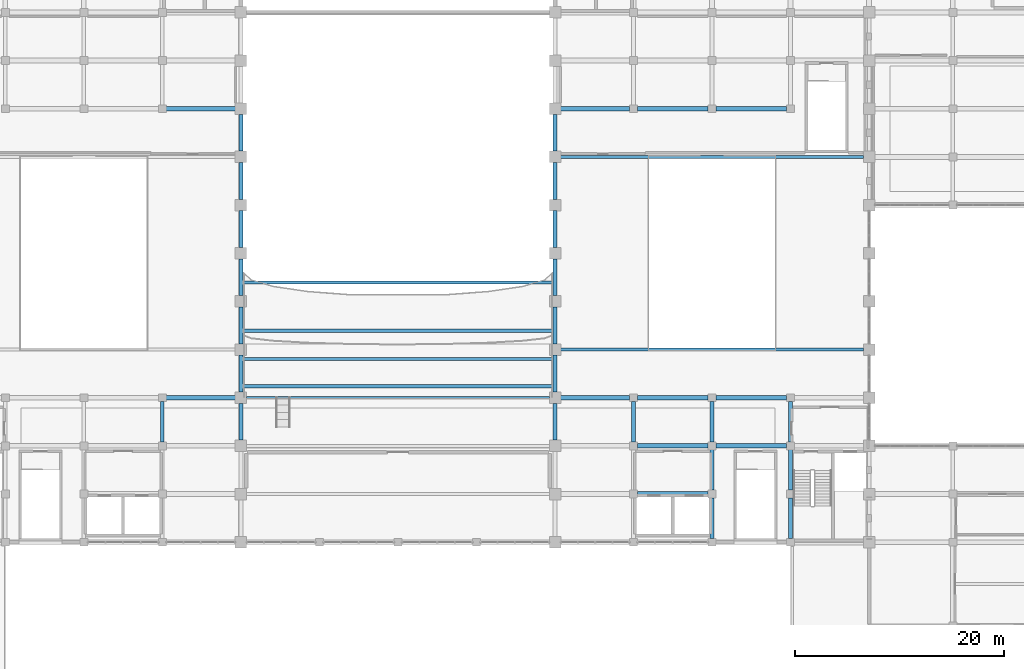
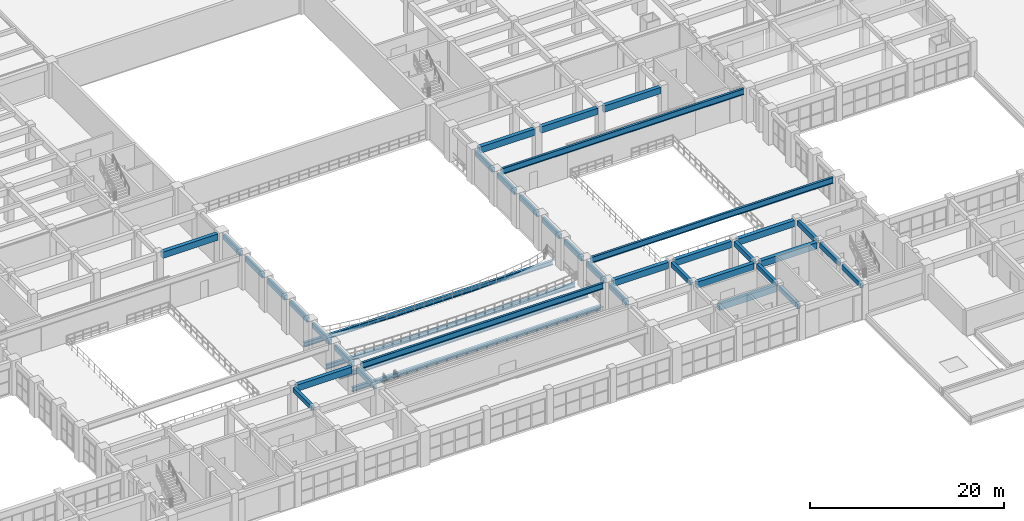
# One storey, part 28 of 90: 40 beams.
"""IFC4 building model written with IfcOpenShell, lengths in metres."""

import ifcopenshell
import ifcopenshell.guid

model = None  # the IFC model being written
_history = None  # IfcOwnerHistory: only IFC2X3 demands one
_inside = {}  # id of a spatial element -> (the spatial element, [elements in it])
_under = {}  # id of a project, library or spatial element -> (it, [spatial elements below it])
_declared = {}  # id of a project -> (the project, [libraries it declares])
_typed = {}  # id of a type object -> (the type object, [elements of that type])
_made_of = {}  # id of a material, layer set ... -> (it, [elements and type objects made of it])


def new_model(schema):
    """Start an empty IFC model of exactly this schema.

    Asked for "IFC4X3", IfcOpenShell would pick the latest addendum, in which some entities
    have other attributes; the version numbers below select the first issue.
    IFC2X3 requires an IfcOwnerHistory on every rooted entity: one is made here for all.
    """
    global model, _history
    if schema == "IFC4X3":
        model = ifcopenshell.file(schema_version=(4, 3, 0, 0))
    else:
        model = ifcopenshell.file(schema=schema)
    _inside.clear()
    _under.clear()
    _declared.clear()
    _typed.clear()
    _made_of.clear()
    _history = None
    if model.schema == "IFC2X3":
        org = make("IfcOrganization", Name="unknown")
        user = make(
            "IfcPersonAndOrganization",
            ThePerson=make("IfcPerson", FamilyName="unknown"),
            TheOrganization=org,
        )
        app = make(
            "IfcApplication",
            ApplicationDeveloper=org,
            Version="unknown",
            ApplicationFullName="unknown",
            ApplicationIdentifier="unknown",
        )
        _history = make(
            "IfcOwnerHistory",
            OwningUser=user,
            OwningApplication=app,
            ChangeAction="ADDED",
            CreationDate=0,
        )
    return model


def make(cls, **values):
    """One entity of the class cls with the attributes given. An attribute that is None is left unset."""
    return model.create_entity(
        cls, **{name: value for name, value in values.items() if value is not None}
    )


def rooted(cls, **values):
    """An entity with a GlobalId (a new one), such as an element, a storey or a relation."""
    return make(cls, GlobalId=ifcopenshell.guid.new(), OwnerHistory=_history, **values)


def si_unit(unit_type, name, prefix=None):
    """IfcSIUnit, for example si_unit("LENGTHUNIT", "METRE", prefix="MILLI")."""
    return make("IfcSIUnit", UnitType=unit_type, Prefix=prefix, Name=name)


def assignment(units):
    """IfcUnitAssignment: the units of a project."""
    return None if units is None else make("IfcUnitAssignment", Units=units)


def point(xyz):
    """IfcCartesianPoint."""
    return None if xyz is None else make("IfcCartesianPoint", Coordinates=xyz)


def direction(xyz):
    """IfcDirection."""
    return None if xyz is None else make("IfcDirection", DirectionRatios=xyz)


def frame(location, z_axis=None, x_axis=None):
    """IfcAxis2Placement3D, a coordinate frame: its origin and axes. An axis left out is left unset."""
    return make(
        "IfcAxis2Placement3D",
        Location=point(location),
        Axis=direction(z_axis),
        RefDirection=direction(x_axis),
    )


def frame_2d(location, x_axis=None):
    """IfcAxis2Placement2D, a coordinate frame in the plane: its origin and x axis."""
    return make(
        "IfcAxis2Placement2D", Location=point(location), RefDirection=direction(x_axis)
    )


def origin():
    """The frame at (0, 0, 0) with its axes left unset."""
    return frame((0.0, 0.0, 0.0))


def origin_2d():
    """The frame at (0, 0) in the plane with its x axis left unset."""
    return frame_2d((0.0, 0.0))


def place(relative_to, where):
    """IfcLocalPlacement: puts the frame where relative to a parent placement (None: the world)."""
    return make(
        "IfcLocalPlacement", PlacementRelTo=relative_to, RelativePlacement=where
    )


def context(
    kind, dimensions, precision=None, world=None, true_north=None, identifier=None
):
    """IfcGeometricRepresentationContext, for example the 3D "Model" context."""
    return make(
        "IfcGeometricRepresentationContext",
        ContextIdentifier=identifier,
        ContextType=kind,
        CoordinateSpaceDimension=dimensions,
        Precision=precision,
        WorldCoordinateSystem=world,
        TrueNorth=true_north,
    )


def subcontext(parent, identifier, kind, view, scale=None):
    """IfcGeometricRepresentationSubContext, for example "Body" below "Model"."""
    return make(
        "IfcGeometricRepresentationSubContext",
        ContextIdentifier=identifier,
        ContextType=kind,
        ParentContext=parent,
        TargetScale=scale,
        TargetView=view,
    )


def project(units=None, contexts=None):
    """IfcProject with its units and contexts."""
    return rooted(
        "IfcProject",
        Name="project",
        RepresentationContexts=contexts,
        UnitsInContext=assignment(units),
    )


def spatial(cls, under=None, at=None, **own):
    """A site, building, storey or space (cls), placed at a placement, below another one or the project."""
    s = rooted(cls, ObjectPlacement=at, **own)
    if under is not None:
        _under.setdefault(under.id(), (under, []))[1].append(s)
    return s


def profile(cls, at=None, kind="AREA", **sizes):
    """A parametric profile (cls). Its sizes go by their IFC names, for example OverallWidth=200.0."""
    return make(cls, ProfileType=kind, Position=at, **sizes)


def rectangle(**sizes):
    """IfcRectangleProfileDef."""
    return profile("IfcRectangleProfileDef", **sizes)


def i_section(**sizes):
    """IfcIShapeProfileDef."""
    return profile("IfcIShapeProfileDef", **sizes)


def extrude(swept, where, along, depth):
    """IfcExtrudedAreaSolid: the profile swept, set in the frame where, extruded along a direction by depth."""
    return make(
        "IfcExtrudedAreaSolid",
        SweptArea=swept,
        Position=where,
        ExtrudedDirection=direction(along),
        Depth=depth,
    )


def shape(context_of_items, identifier, shape_type, items):
    """IfcShapeRepresentation: the items that make up one representation, for example the "Body"."""
    return make(
        "IfcShapeRepresentation",
        ContextOfItems=context_of_items,
        RepresentationIdentifier=identifier,
        RepresentationType=shape_type,
        Items=items,
    )


def material(Name=None, Category=None):
    """IfcMaterial."""
    return make("IfcMaterial", Name=Name, Category=Category)


def material_profile(
    of_material, cross_section, Name=None, Category=None, Priority=None
):
    """IfcMaterialProfile: a cross section and its material."""
    return make(
        "IfcMaterialProfile",
        Name=Name,
        Material=of_material,
        Profile=cross_section,
        Priority=Priority,
        Category=Category,
    )


def profile_set(profiles, Name=None, composite=None):
    """IfcMaterialProfileSet."""
    return make(
        "IfcMaterialProfileSet",
        Name=Name,
        MaterialProfiles=profiles,
        CompositeProfile=composite,
    )


def made_of(thing, what):
    """Note that an element or type object is made of a material, layer set ...; save() writes the relation."""
    if what is not None:
        _made_of.setdefault(what.id(), (what, []))[1].append(thing)
    return thing


def type_object(cls, material=None, **own):
    """A type object (cls), such as IfcWallType, which elements share."""
    return made_of(rooted(cls, **own), material)


def element(
    cls,
    number,
    at=None,
    inside=None,
    cuts=None,
    type_object=None,
    material=None,
    context=None,
    identifier="Body",
    shape_type=None,
    held_by="IfcProductDefinitionShape",
    body=None,
    shapes=None,
    **own,
):
    """One element of the class cls, such as IfcWall. Its Tag is "e" and its number.

    at: its placement. inside: the storey or other place that contains it. cuts: it is an
    opening in that element (IfcRelVoidsElement). A single representation is given by context,
    identifier, shape_type and body (its items); several are given by shapes. held_by: the class
    of the entity that holds the representations. save() writes the other relations.
    """
    e = rooted(cls, Tag="e%d" % number, ObjectPlacement=at, **own)
    if body is not None:
        shapes = [shape(context, identifier, shape_type, body)]
    if shapes is not None:
        e.Representation = make(held_by, Representations=shapes)
    if inside is not None:
        _inside.setdefault(inside.id(), (inside, []))[1].append(e)
    if cuts is not None:
        rooted(
            "IfcRelVoidsElement", RelatingBuildingElement=cuts, RelatedOpeningElement=e
        )
    if type_object is not None:
        _typed.setdefault(type_object.id(), (type_object, []))[1].append(e)
    return made_of(e, material)


def aggregate(whole, parts):
    """IfcRelAggregates: a whole, such as a stair, and the parts it consists of."""
    return rooted("IfcRelAggregates", RelatingObject=whole, RelatedObjects=parts)


def save(model, path):
    """Write the relations noted so far, then the file.

    IfcRelAggregates (storeys below a building ...), IfcRelContainedInSpatialStructure (elements
    in a storey), IfcRelDefinesByType, IfcRelAssociatesMaterial and IfcRelDeclares: one each for
    every whole, place, type object, material and project.
    """
    for whole, parts in _under.values():
        aggregate(whole, parts)
    for where, things in _inside.values():
        rooted(
            "IfcRelContainedInSpatialStructure",
            RelatedElements=things,
            RelatingStructure=where,
        )
    for kind, things in _typed.values():
        rooted("IfcRelDefinesByType", RelatedObjects=things, RelatingType=kind)
    for what, things in _made_of.values():
        rooted("IfcRelAssociatesMaterial", RelatedObjects=things, RelatingMaterial=what)
    for by, libraries in _declared.values():
        rooted("IfcRelDeclares", RelatingContext=by, RelatedDefinitions=libraries)
    model.write(path)


model = new_model("IFC4")

# Units and contexts
model_context = context("Model", 3, precision=1e-05, world=origin(), true_north=direction((0.0, 1.0)))
body_context = subcontext(model_context, "Body", "Model", "MODEL_VIEW")
ifc_project = project(units=[si_unit("LENGTHUNIT", "METRE"), si_unit("AREAUNIT", "SQUARE_METRE"), si_unit("VOLUMEUNIT", "CUBIC_METRE"), si_unit("PLANEANGLEUNIT", "RADIAN"), si_unit("MASSUNIT", "GRAM", prefix="KILO")], contexts=[model_context])

# Site, building, storey
site_placement = place(None, origin())
site = spatial("IfcSite", under=ifc_project, at=site_placement, CompositionType="ELEMENT")
building_placement = place(site_placement, origin())
building = spatial("IfcBuilding", under=site, at=building_placement, Name="Muzn Square Opera House", CompositionType="ELEMENT")
storey_placement = place(building_placement, frame((0.0, 0.0, 9.800048828125)))
storey = spatial("IfcBuildingStorey", under=building, at=storey_placement, Name="L02", CompositionType="ELEMENT", Elevation=9.800048828125)

# Beams
ifc_material_1 = material(Name="Steel S355", Category="steel")
ifc_material_profile_1 = material_profile(ifc_material_1, i_section(OverallWidth=0.300048828125, OverallDepth=0.550048828125, WebThickness=0.014892578125, FlangeThickness=0.029052734375, FilletRadius=0.027099609375, at=origin_2d()), Name="HEB 550", Category="steel")
ifc_profile_set_1 = profile_set([ifc_material_profile_1], Name="Steel S355")
beam_type_1 = type_object("IfcBeamType", Name="Auditorium Raker Beam HEB550", PredefinedType="USERDEFINED", material=ifc_profile_set_1)
for number, where, z_axis, x_axis, name in (
    (1, (73.199951171875, 36.89990234375, 0.244873046875), (1.0, 0.0, 0.0), (0.0, 1.0, 0.0), "Upper Circle Raker Beam RAKER-L02-01"),
    (2, (73.199951171875, 39.5, 0.244873046875), (1.0, 0.0, 0.0), (0.0, 1.0, 0.0), "Upper Circle Raker Beam RAKER-L02-02"),
    (3, (73.199951171875, 42.199951171875, -0.114990234375), (1.0, 0.0, 0.0), (0.0, 1.0, 0.0), "Upper Circle Raker Beam RAKER-L02-03"),
    (4, (73.199951171875, 46.800048828125, -0.114990234375), (1.0, 0.0, 0.0), (0.0, 1.0, 0.0), "Upper Circle Raker Beam RAKER-L02-04"),
):
    element("IfcBeam", number, at=place(storey_placement, frame(where, z_axis=z_axis, x_axis=x_axis)), inside=storey, type_object=beam_type_1, Name=name, ObjectType="RAKER", PredefinedType="USERDEFINED", context=body_context, shape_type="SweptSolid", body=[
        extrude(i_section(OverallWidth=0.300048828125, OverallDepth=0.550048828125, WebThickness=0.014892578125, FlangeThickness=0.029052734375, FilletRadius=0.027099609375, at=origin_2d()), origin(), (0.0, 0.0, 1.0), 29.60009765625),
    ])
ifc_material_profile_2 = material_profile(ifc_material_1, i_section(OverallWidth=0.264892578125, OverallDepth=0.7529296875, WebThickness=0.01318359375, FlangeThickness=0.01708984375, FilletRadius=0.01708984375, at=origin_2d()), Name="IPE 750x147", Category="steel")
ifc_profile_set_2 = profile_set([ifc_material_profile_2], Name="Steel S355")
beam_type_2 = type_object("IfcBeamType", Name="Long Span Foyer Beam IPE750", PredefinedType="BEAM", material=ifc_profile_set_2)
for number, where, z_axis, x_axis, name in (
    (5, (73.5419921875, 35.800048828125, 3.743408203125), (1.0, 0.0, 0.0), (0.0, 1.0, 0.0), "Primary Girder BM-L02-BM-LF750-735_358_1025_358-2002"),
    (6, (103.5419921875, 40.39990234375, 3.743408203125), (1.0, 0.0, 0.0), (0.0, 1.0, 0.0), "Primary Girder BM-L02-BM-LF750-1035_404_1325_404-2008"),
    (7, (103.5419921875, 58.800048828125, 3.743408203125), (1.0, 0.0, 0.0), (0.0, 1.0, 0.0), "Primary Girder BM-L02-BM-LF750-1035_588_1325_588-2019"),
):
    element("IfcBeam", number, at=place(storey_placement, frame(where, z_axis=z_axis, x_axis=x_axis)), inside=storey, type_object=beam_type_2, Name=name, PredefinedType="BEAM", context=body_context, shape_type="SweptSolid", body=[
        extrude(i_section(OverallWidth=0.264892578125, OverallDepth=0.7529296875, WebThickness=0.01318359375, FlangeThickness=0.01708984375, FilletRadius=0.01708984375, at=origin_2d()), origin(), (0.0, 0.0, 1.0), 28.916015625),
    ])
ifc_material_2 = material(Name="Concrete C40/50", Category="concrete")
ifc_material_profile_3 = material_profile(ifc_material_2, rectangle(XDim=0.35009765625, YDim=0.60009765625, at=origin_2d()), Name="RCB 350x600", Category="concrete")
ifc_profile_set_3 = profile_set([ifc_material_profile_3], Name="Concrete C40/50")
beam_type_3 = type_object("IfcBeamType", Name="Primary Girder 350x600", PredefinedType="BEAM", material=ifc_profile_set_3)
beam_1_placement = place(storey_placement, frame((65.5, 31.56689453125, 3.820068359375), z_axis=(0.0, 1.0, 0.0), x_axis=(-1.0, 0.0, 0.0)))
element("IfcBeam", 8, at=beam_1_placement, inside=storey, type_object=beam_type_3, Name="Primary Girder BM-L02-BM-PG600-655_316_655_354-2188", PredefinedType="BEAM", context=body_context, shape_type="SweptSolid", body=[
    extrude(rectangle(XDim=0.35009765625, YDim=0.60009765625, at=origin_2d()), origin(), (0.0, 0.0, 1.0), 3.8662109375),
])
beam_2_placement = place(storey_placement, frame((73.0, 31.741943359375, 3.820068359375), z_axis=(0.0, 1.0, 0.0), x_axis=(-1.0, 0.0, 0.0)))
element("IfcBeam", 9, at=beam_2_placement, inside=storey, type_object=beam_type_3, Name="Primary Girder BM-L02-BM-PG600-730_317_730_353-2197", PredefinedType="BEAM", context=body_context, shape_type="SweptSolid", body=[
    extrude(rectangle(XDim=0.35009765625, YDim=0.60009765625, at=origin_2d()), origin(), (0.0, 0.0, 1.0), 3.51611328125),
])
beam_3_placement = place(storey_placement, frame((73.0, 36.342041015625, 3.820068359375), z_axis=(0.0, 1.0, 0.0), x_axis=(-1.0, 0.0, 0.0)))
element("IfcBeam", 10, at=beam_3_placement, inside=storey, type_object=beam_type_3, Name="Primary Girder BM-L02-BM-PG600-730_363_730_399-2198", PredefinedType="BEAM", context=body_context, shape_type="SweptSolid", body=[
    extrude(rectangle(XDim=0.35009765625, YDim=0.60009765625, at=origin_2d()), origin(), (0.0, 0.0, 1.0), 3.515869140625),
])
for number, where, z_axis, x_axis, name in (
    (11, (73.0, 40.94189453125, 3.820068359375), (0.0, 1.0, 0.0), (-1.0, 0.0, 0.0), "Primary Girder BM-L02-BM-PG600-730_409_730_445-2199"),
    (12, (73.0, 45.5419921875, 3.820068359375), (0.0, 1.0, 0.0), (-1.0, 0.0, 0.0), "Primary Girder BM-L02-BM-PG600-730_455_730_491-2200"),
):
    element("IfcBeam", number, at=place(storey_placement, frame(where, z_axis=z_axis, x_axis=x_axis)), inside=storey, type_object=beam_type_3, Name=name, PredefinedType="BEAM", context=body_context, shape_type="SweptSolid", body=[
        extrude(rectangle(XDim=0.35009765625, YDim=0.60009765625, at=origin_2d()), origin(), (0.0, 0.0, 1.0), 3.51611328125),
    ])
beam_4_placement = place(storey_placement, frame((73.0, 50.14208984375, 3.820068359375), z_axis=(0.0, 1.0, 0.0), x_axis=(-1.0, 0.0, 0.0)))
element("IfcBeam", 13, at=beam_4_placement, inside=storey, type_object=beam_type_3, Name="Primary Girder BM-L02-BM-PG600-730_501_730_537-2201", PredefinedType="BEAM", context=body_context, shape_type="SweptSolid", body=[
    extrude(rectangle(XDim=0.35009765625, YDim=0.60009765625, at=origin_2d()), origin(), (0.0, 0.0, 1.0), 3.515869140625),
])
beam_5_placement = place(storey_placement, frame((73.0, 54.741943359375, 3.820068359375), z_axis=(0.0, 1.0, 0.0), x_axis=(-1.0, 0.0, 0.0)))
element("IfcBeam", 14, at=beam_5_placement, inside=storey, type_object=beam_type_3, Name="Primary Girder BM-L02-BM-PG600-730_547_730_583-2202", PredefinedType="BEAM", context=body_context, shape_type="SweptSolid", body=[
    extrude(rectangle(XDim=0.35009765625, YDim=0.60009765625, at=origin_2d()), origin(), (0.0, 0.0, 1.0), 3.51611328125),
])
beam_6_placement = place(storey_placement, frame((73.0, 59.342041015625, 3.820068359375), z_axis=(0.0, 1.0, 0.0), x_axis=(-1.0, 0.0, 0.0)))
element("IfcBeam", 15, at=beam_6_placement, inside=storey, type_object=beam_type_3, Name="Primary Girder BM-L02-BM-PG600-730_593_730_629-2203", PredefinedType="BEAM", context=body_context, shape_type="SweptSolid", body=[
    extrude(rectangle(XDim=0.35009765625, YDim=0.60009765625, at=origin_2d()), origin(), (0.0, 0.0, 1.0), 3.515869140625),
])
beam_7_placement = place(storey_placement, frame((103.0, 31.741943359375, 3.820068359375), z_axis=(0.0, 1.0, 0.0), x_axis=(-1.0, 0.0, 0.0)))
element("IfcBeam", 16, at=beam_7_placement, inside=storey, type_object=beam_type_3, Name="Primary Girder BM-L02-BM-PG600-1030_317_1030_353-2209", PredefinedType="BEAM", context=body_context, shape_type="SweptSolid", body=[
    extrude(rectangle(XDim=0.35009765625, YDim=0.60009765625, at=origin_2d()), origin(), (0.0, 0.0, 1.0), 3.51611328125),
])
beam_8_placement = place(storey_placement, frame((103.0, 36.342041015625, 3.820068359375), z_axis=(0.0, 1.0, 0.0), x_axis=(-1.0, 0.0, 0.0)))
element("IfcBeam", 17, at=beam_8_placement, inside=storey, type_object=beam_type_3, Name="Primary Girder BM-L02-BM-PG600-1030_363_1030_399-2210", PredefinedType="BEAM", context=body_context, shape_type="SweptSolid", body=[
    extrude(rectangle(XDim=0.35009765625, YDim=0.60009765625, at=origin_2d()), origin(), (0.0, 0.0, 1.0), 3.515869140625),
])
for number, where, z_axis, x_axis, name in (
    (18, (103.0, 40.94189453125, 3.820068359375), (0.0, 1.0, 0.0), (-1.0, 0.0, 0.0), "Primary Girder BM-L02-BM-PG600-1030_409_1030_445-2211"),
    (19, (103.0, 45.5419921875, 3.820068359375), (0.0, 1.0, 0.0), (-1.0, 0.0, 0.0), "Primary Girder BM-L02-BM-PG600-1030_455_1030_491-2212"),
):
    element("IfcBeam", number, at=place(storey_placement, frame(where, z_axis=z_axis, x_axis=x_axis)), inside=storey, type_object=beam_type_3, Name=name, PredefinedType="BEAM", context=body_context, shape_type="SweptSolid", body=[
        extrude(rectangle(XDim=0.35009765625, YDim=0.60009765625, at=origin_2d()), origin(), (0.0, 0.0, 1.0), 3.51611328125),
    ])
beam_9_placement = place(storey_placement, frame((103.0, 50.14208984375, 3.820068359375), z_axis=(0.0, 1.0, 0.0), x_axis=(-1.0, 0.0, 0.0)))
element("IfcBeam", 20, at=beam_9_placement, inside=storey, type_object=beam_type_3, Name="Primary Girder BM-L02-BM-PG600-1030_501_1030_537-2213", PredefinedType="BEAM", context=body_context, shape_type="SweptSolid", body=[
    extrude(rectangle(XDim=0.35009765625, YDim=0.60009765625, at=origin_2d()), origin(), (0.0, 0.0, 1.0), 3.515869140625),
])
beam_10_placement = place(storey_placement, frame((103.0, 54.741943359375, 3.820068359375), z_axis=(0.0, 1.0, 0.0), x_axis=(-1.0, 0.0, 0.0)))
element("IfcBeam", 21, at=beam_10_placement, inside=storey, type_object=beam_type_3, Name="Primary Girder BM-L02-BM-PG600-1030_547_1030_583-2214", PredefinedType="BEAM", context=body_context, shape_type="SweptSolid", body=[
    extrude(rectangle(XDim=0.35009765625, YDim=0.60009765625, at=origin_2d()), origin(), (0.0, 0.0, 1.0), 3.51611328125),
])
beam_11_placement = place(storey_placement, frame((103.0, 59.342041015625, 3.820068359375), z_axis=(0.0, 1.0, 0.0), x_axis=(-1.0, 0.0, 0.0)))
element("IfcBeam", 22, at=beam_11_placement, inside=storey, type_object=beam_type_3, Name="Primary Girder BM-L02-BM-PG600-1030_593_1030_629-2215", PredefinedType="BEAM", context=body_context, shape_type="SweptSolid", body=[
    extrude(rectangle(XDim=0.35009765625, YDim=0.60009765625, at=origin_2d()), origin(), (0.0, 0.0, 1.0), 3.515869140625),
])
beam_12_placement = place(storey_placement, frame((110.5, 31.56689453125, 3.820068359375), z_axis=(0.0, 1.0, 0.0), x_axis=(-1.0, 0.0, 0.0)))
element("IfcBeam", 23, at=beam_12_placement, inside=storey, type_object=beam_type_3, Name="Primary Girder BM-L02-BM-PG600-1105_316_1105_354-2221", PredefinedType="BEAM", context=body_context, shape_type="SweptSolid", body=[
    extrude(rectangle(XDim=0.35009765625, YDim=0.60009765625, at=origin_2d()), origin(), (0.0, 0.0, 1.0), 3.8662109375),
])
for number, where, z_axis, x_axis, name in (
    (24, (118.0, 22.366943359375, 3.820068359375), (0.0, 1.0, 0.0), (-1.0, 0.0, 0.0), "Primary Girder BM-L02-BM-PG600-1180_224_1180_262-2228"),
    (25, (118.0, 26.967041015625, 3.820068359375), (0.0, 1.0, 0.0), (-1.0, 0.0, 0.0), "Primary Girder BM-L02-BM-PG600-1180_270_1180_308-2229"),
):
    element("IfcBeam", number, at=place(storey_placement, frame(where, z_axis=z_axis, x_axis=x_axis)), inside=storey, type_object=beam_type_3, Name=name, PredefinedType="BEAM", context=body_context, shape_type="SweptSolid", body=[
        extrude(rectangle(XDim=0.35009765625, YDim=0.60009765625, at=origin_2d()), origin(), (0.0, 0.0, 1.0), 3.865966796875),
    ])
beam_13_placement = place(storey_placement, frame((118.0, 31.56689453125, 3.820068359375), z_axis=(0.0, 1.0, 0.0), x_axis=(-1.0, 0.0, 0.0)))
element("IfcBeam", 26, at=beam_13_placement, inside=storey, type_object=beam_type_3, Name="Primary Girder BM-L02-BM-PG600-1180_316_1180_354-2230", PredefinedType="BEAM", context=body_context, shape_type="SweptSolid", body=[
    extrude(rectangle(XDim=0.35009765625, YDim=0.60009765625, at=origin_2d()), origin(), (0.0, 0.0, 1.0), 3.8662109375),
])
for number, where, z_axis, x_axis, name in (
    (27, (125.5, 22.366943359375, 3.820068359375), (0.0, 1.0, 0.0), (-1.0, 0.0, 0.0), "Primary Girder BM-L02-BM-PG600-1255_224_1255_262-2237"),
    (28, (125.5, 26.967041015625, 3.820068359375), (0.0, 1.0, 0.0), (-1.0, 0.0, 0.0), "Primary Girder BM-L02-BM-PG600-1255_270_1255_308-2238"),
):
    element("IfcBeam", number, at=place(storey_placement, frame(where, z_axis=z_axis, x_axis=x_axis)), inside=storey, type_object=beam_type_3, Name=name, PredefinedType="BEAM", context=body_context, shape_type="SweptSolid", body=[
        extrude(rectangle(XDim=0.35009765625, YDim=0.60009765625, at=origin_2d()), origin(), (0.0, 0.0, 1.0), 3.865966796875),
    ])
beam_14_placement = place(storey_placement, frame((125.5, 31.56689453125, 3.820068359375), z_axis=(0.0, 1.0, 0.0), x_axis=(-1.0, 0.0, 0.0)))
element("IfcBeam", 29, at=beam_14_placement, inside=storey, type_object=beam_type_3, Name="Primary Girder BM-L02-BM-PG600-1255_316_1255_354-2239", PredefinedType="BEAM", context=body_context, shape_type="SweptSolid", body=[
    extrude(rectangle(XDim=0.35009765625, YDim=0.60009765625, at=origin_2d()), origin(), (0.0, 0.0, 1.0), 3.8662109375),
])
ifc_material_profile_4 = material_profile(ifc_material_2, rectangle(XDim=0.449951171875, YDim=0.800048828125, at=origin_2d()), Name="RCB 450x800", Category="concrete")
ifc_profile_set_4 = profile_set([ifc_material_profile_4], Name="Concrete C40/50")
beam_type_4 = type_object("IfcBeamType", Name="Primary Girder 450x800", PredefinedType="BEAM", material=ifc_profile_set_4)
for number, where, z_axis, x_axis, name in (
    (30, (110.866943359375, 26.60009765625, 3.719970703125), (1.0, 0.0, 0.0), (0.0, 1.0, 0.0), "Primary Girder BM-L02-BM-PG800-1109_266_1176_266-1973"),
    (31, (110.866943359375, 31.199951171875, 3.719970703125), (1.0, 0.0, 0.0), (0.0, 1.0, 0.0), "Primary Girder BM-L02-BM-PG800-1109_312_1176_312-1990"),
    (32, (118.366943359375, 31.199951171875, 3.719970703125), (1.0, 0.0, 0.0), (0.0, 1.0, 0.0), "Primary Girder BM-L02-BM-PG800-1184_312_1251_312-1991"),
):
    element("IfcBeam", number, at=place(storey_placement, frame(where, z_axis=z_axis, x_axis=x_axis)), inside=storey, type_object=beam_type_4, Name=name, PredefinedType="BEAM", context=body_context, shape_type="SweptSolid", body=[
        extrude(rectangle(XDim=0.449951171875, YDim=0.800048828125, at=origin_2d()), origin(), (0.0, 0.0, 1.0), 6.76611328125),
    ])
for number, where, z_axis, x_axis, name in (
    (33, (65.866943359375, 35.800048828125, 3.719970703125), (1.0, 0.0, 0.0), (0.0, 1.0, 0.0), "Primary Girder BM-L02-BM-PG800-659_358_725_358-2001"),
    (34, (103.5419921875, 35.800048828125, 3.719970703125), (1.0, 0.0, 0.0), (0.0, 1.0, 0.0), "Primary Girder BM-L02-BM-PG800-1035_358_1101_358-2003"),
):
    element("IfcBeam", number, at=place(storey_placement, frame(where, z_axis=z_axis, x_axis=x_axis)), inside=storey, type_object=beam_type_4, Name=name, PredefinedType="BEAM", context=body_context, shape_type="SweptSolid", body=[
        extrude(rectangle(XDim=0.449951171875, YDim=0.800048828125, at=origin_2d()), origin(), (0.0, 0.0, 1.0), 6.591064453125),
    ])
for number, where, z_axis, x_axis, name in (
    (35, (110.866943359375, 35.800048828125, 3.719970703125), (1.0, 0.0, 0.0), (0.0, 1.0, 0.0), "Primary Girder BM-L02-BM-PG800-1109_358_1176_358-2004"),
    (36, (118.366943359375, 35.800048828125, 3.719970703125), (1.0, 0.0, 0.0), (0.0, 1.0, 0.0), "Primary Girder BM-L02-BM-PG800-1184_358_1251_358-2005"),
):
    element("IfcBeam", number, at=place(storey_placement, frame(where, z_axis=z_axis, x_axis=x_axis)), inside=storey, type_object=beam_type_4, Name=name, PredefinedType="BEAM", context=body_context, shape_type="SweptSolid", body=[
        extrude(rectangle(XDim=0.449951171875, YDim=0.800048828125, at=origin_2d()), origin(), (0.0, 0.0, 1.0), 6.76611328125),
    ])
for number, where, z_axis, x_axis, name in (
    (37, (65.866943359375, 63.39990234375, 3.719970703125), (1.0, 0.0, 0.0), (0.0, 1.0, 0.0), "Primary Girder BM-L02-BM-PG800-659_634_725_634-2028"),
    (38, (103.5419921875, 63.39990234375, 3.719970703125), (1.0, 0.0, 0.0), (0.0, 1.0, 0.0), "Primary Girder BM-L02-BM-PG800-1035_634_1101_634-2029"),
):
    element("IfcBeam", number, at=place(storey_placement, frame(where, z_axis=z_axis, x_axis=x_axis)), inside=storey, type_object=beam_type_4, Name=name, PredefinedType="BEAM", context=body_context, shape_type="SweptSolid", body=[
        extrude(rectangle(XDim=0.449951171875, YDim=0.800048828125, at=origin_2d()), origin(), (0.0, 0.0, 1.0), 6.591064453125),
    ])
for number, where, z_axis, x_axis, name in (
    (39, (110.866943359375, 63.39990234375, 3.719970703125), (1.0, 0.0, 0.0), (0.0, 1.0, 0.0), "Primary Girder BM-L02-BM-PG800-1109_634_1176_634-2030"),
    (40, (118.366943359375, 63.39990234375, 3.719970703125), (1.0, 0.0, 0.0), (0.0, 1.0, 0.0), "Primary Girder BM-L02-BM-PG800-1184_634_1251_634-2031"),
):
    element("IfcBeam", number, at=place(storey_placement, frame(where, z_axis=z_axis, x_axis=x_axis)), inside=storey, type_object=beam_type_4, Name=name, PredefinedType="BEAM", context=body_context, shape_type="SweptSolid", body=[
        extrude(rectangle(XDim=0.449951171875, YDim=0.800048828125, at=origin_2d()), origin(), (0.0, 0.0, 1.0), 6.76611328125),
    ])

save(model, "model.ifc")
